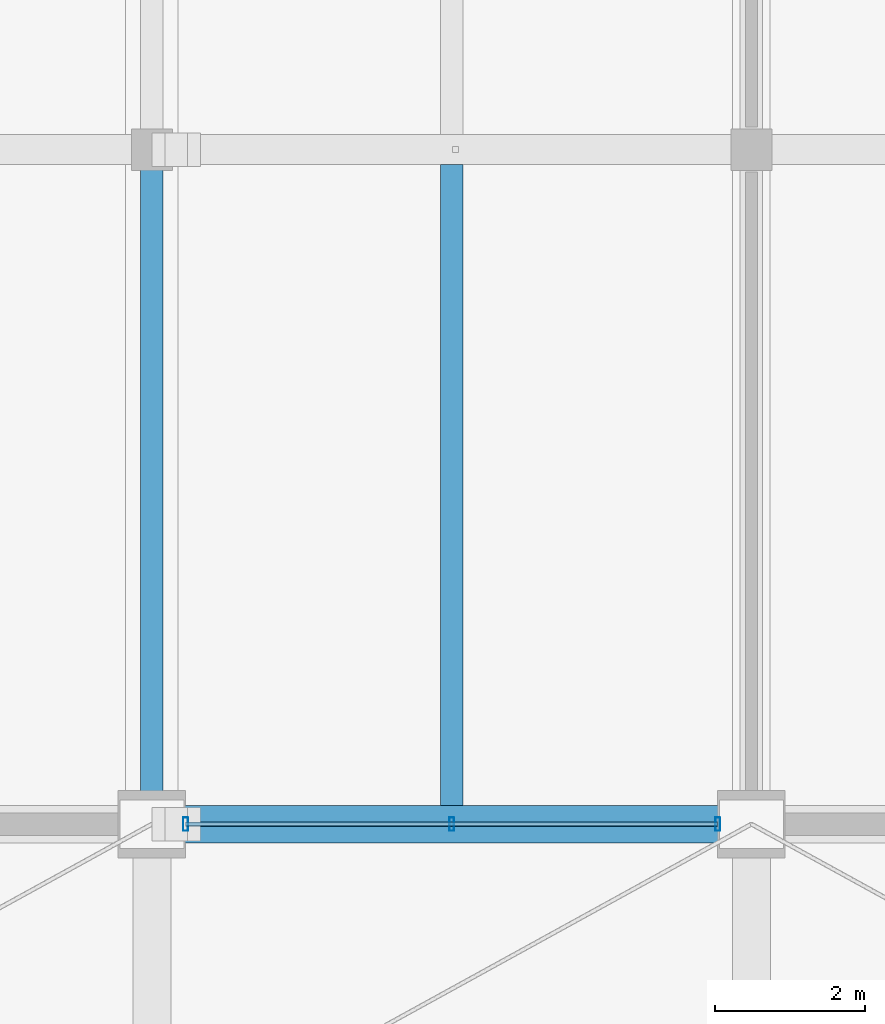
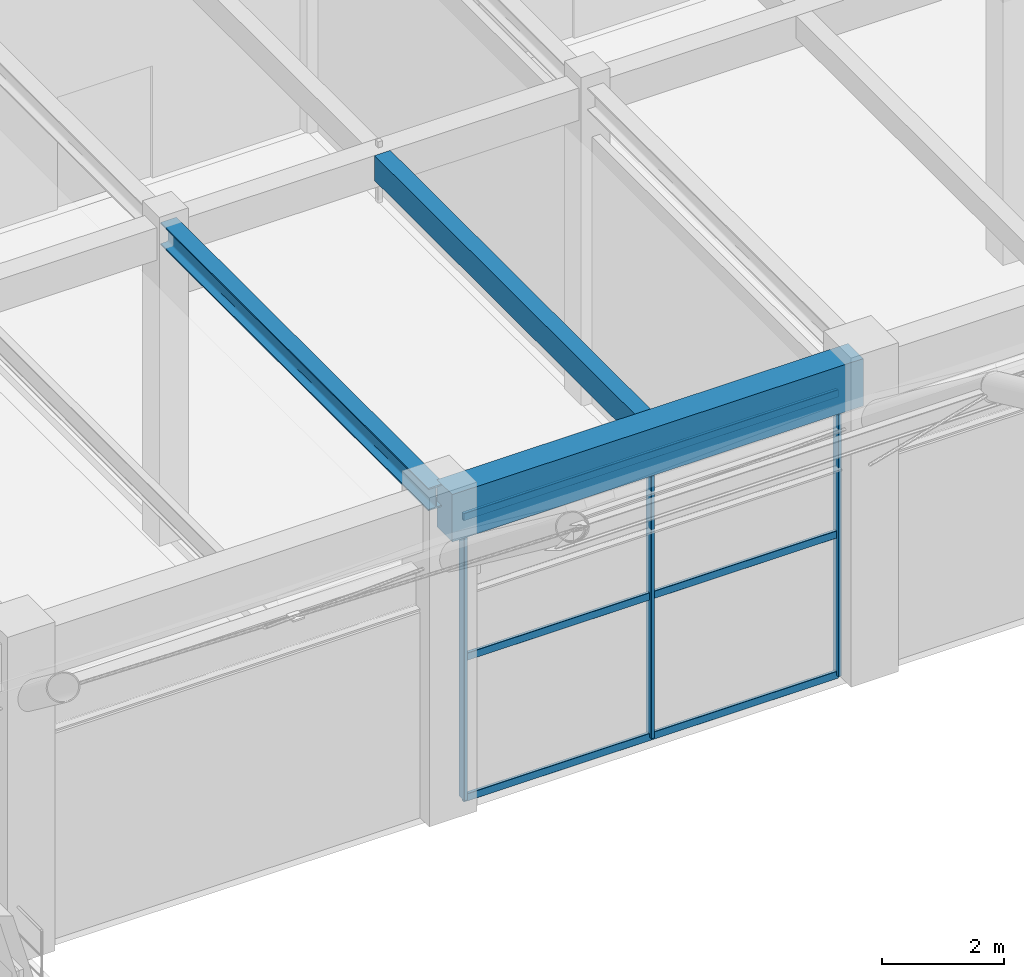
# One storey, part 88 of 163: 6 members, 3 beams, 1 element without a shape of its own.
"""IFC4 building model written with IfcOpenShell, lengths in metres."""

from ifc_helpers import new_model, si_unit, direction, frame, origin, origin_2d, place, context, subcontext, project, spatial, rectangle, hollow_rectangle, i_section, extrude, material, material_profile, profile_set, type_object, element, aggregate, save


model = new_model("IFC4")

# Units and contexts
model_context = context("Model", 3, precision=1e-05, world=origin(), true_north=direction((0.0, 1.0)))
body_context = subcontext(model_context, "Body", "Model", "MODEL_VIEW")
ifc_project = project(units=[si_unit("LENGTHUNIT", "METRE"), si_unit("AREAUNIT", "SQUARE_METRE"), si_unit("VOLUMEUNIT", "CUBIC_METRE"), si_unit("PLANEANGLEUNIT", "RADIAN"), si_unit("MASSUNIT", "GRAM", prefix="KILO")], contexts=[model_context])

# Site, building, storey
site_placement = place(None, origin())
site = spatial("IfcSite", under=ifc_project, at=site_placement, CompositionType="ELEMENT")
building_placement = place(site_placement, origin())
building = spatial("IfcBuilding", under=site, at=building_placement, Name="Varnabhumi Central Station", CompositionType="ELEMENT")
storey_placement = place(building_placement, frame((0.0, 0.0, 9.60009765625)))
storey = spatial("IfcBuildingStorey", under=building, at=storey_placement, Name="L02", CompositionType="ELEMENT", Elevation=9.60009765625)

# Beams
ifc_material_1 = material(Name="Concrete M40", Category="concrete")
ifc_material_profile_1 = material_profile(ifc_material_1, rectangle(XDim=0.300048828125, YDim=0.5, at=origin_2d()), Name="Concrete M40", Category="concrete")
ifc_profile_set_1 = profile_set([ifc_material_profile_1], Name="Concrete M40")
beam_type_1 = type_object("IfcBeamType", Name="BM-RC-300x500", PredefinedType="JOIST", material=ifc_profile_set_1)
beam_1_placement = place(storey_placement, frame((124.0, 80.25, 6.099853515625), z_axis=(0.0, 1.0, 0.0), x_axis=(-1.0, 0.0, 0.0)))
element("IfcBeam", 1, at=beam_1_placement, inside=storey, type_object=beam_type_1, Name="Secondary Joist L02-16/17:K-L", PredefinedType="JOIST", context=body_context, shape_type="SweptSolid", body=[
    extrude(rectangle(XDim=0.300048828125, YDim=0.5, at=origin_2d()), origin(), (0.0, 0.0, 1.0), 8.550048828125),
])
ifc_material_profile_2 = material_profile(ifc_material_1, rectangle(XDim=0.5, YDim=0.949951171875, at=origin_2d()), Name="Concrete M40", Category="concrete")
ifc_profile_set_2 = profile_set([ifc_material_profile_2], Name="Concrete M40")
beam_type_2 = type_object("IfcBeamType", Name="BM-RC-950x500", PredefinedType="BEAM", material=ifc_profile_set_2)
beam_2_placement = place(storey_placement, frame((120.10009765625, 80.0, 5.875), z_axis=(1.0, 0.0, 0.0), x_axis=(0.0, 1.0, 0.0)))
element("IfcBeam", 2, at=beam_2_placement, inside=storey, type_object=beam_type_2, Name="Beam L02-K:16-17", PredefinedType="BEAM", context=body_context, shape_type="SweptSolid", body=[
    extrude(rectangle(XDim=0.5, YDim=0.949951171875, at=origin_2d()), origin(), (0.0, 0.0, 1.0), 7.7998046875),
])
ifc_material_2 = material(Name="Structural steel E350", Category="steel")
ifc_material_profile_3 = material_profile(ifc_material_2, i_section(OverallWidth=0.300048828125, OverallDepth=0.449951171875, WebThickness=0.013916015625, FlangeThickness=0.02587890625, FilletRadius=0.027099609375, at=origin_2d()), Name="Structural steel E350", Category="steel")
ifc_profile_set_3 = profile_set([ifc_material_profile_3], Name="Structural steel E350")
beam_type_3 = type_object("IfcBeamType", Name="BM-STL-WPB450", PredefinedType="BEAM", material=ifc_profile_set_3)
beam_3_placement = place(storey_placement, frame((120.0, 80.10009765625, 6.125), z_axis=(0.0, 1.0, 0.0), x_axis=(-1.0, 0.0, 0.0)))
element("IfcBeam", 3, at=beam_3_placement, inside=storey, type_object=beam_type_3, Name="Beam L02-16:K-L", PredefinedType="BEAM", context=body_context, shape_type="SweptSolid", body=[
    extrude(i_section(OverallWidth=0.300048828125, OverallDepth=0.449951171875, WebThickness=0.013916015625, FlangeThickness=0.02587890625, FilletRadius=0.027099609375, at=origin_2d()), origin(), (0.0, 0.0, 1.0), 8.7998046875),
])

# Curtain wall, members
ifc_material_3 = material(Name="Anodised aluminium 6063-T6", Category="aluminium")
curtain_wall_type = type_object("IfcCurtainWallType", Name="CW-SPINE-SCREEN-L2", PredefinedType="NOTDEFINED", material=ifc_material_3)
curtain_wall_placement = place(storey_placement, origin())
curtain_wall = element("IfcCurtainWall", 4, at=curtain_wall_placement, inside=storey, type_object=curtain_wall_type, Name="Curtain Wall CW-NS212", PredefinedType="NOTDEFINED")
ifc_material_profile_4 = material_profile(ifc_material_3, hollow_rectangle(XDim=0.06494140625, YDim=0.179931640625, WallThickness=0.00390625, InnerFilletRadius=0.001953125, OuterFilletRadius=0.006103515625, at=origin_2d()), Name="Anodised aluminium 6063-T6", Category="aluminium")
ifc_profile_set_4 = profile_set([ifc_material_profile_4], Name="Anodised aluminium 6063-T6")
member_type_1 = type_object("IfcMemberType", Name="CW-MUL-180", PredefinedType="MULLION", material=ifc_profile_set_4)
member_1_placement = place(storey_placement, frame((120.449951171875, 80.0, 0.0), z_axis=(0.0, 0.0, 1.0), x_axis=(1.0, 0.0, 0.0)))
member_1 = element("IfcMember", 5, at=member_1_placement, type_object=member_type_1, Name="Curtain Wall Mullion CW-NS212-M1", PredefinedType="MULLION", context=body_context, shape_type="SweptSolid", body=[
    extrude(hollow_rectangle(XDim=0.06494140625, YDim=0.179931640625, WallThickness=0.00390625, InnerFilletRadius=0.001953125, OuterFilletRadius=0.006103515625, at=origin_2d()), origin(), (0.0, 0.0, 1.0), 5.639892578125),
])
member_2_placement = place(storey_placement, frame((124.0, 80.0, 0.0), z_axis=(0.0, 0.0, 1.0), x_axis=(1.0, 0.0, 0.0)))
member_2 = element("IfcMember", 6, at=member_2_placement, type_object=member_type_1, Name="Curtain Wall Mullion CW-NS212-M2", PredefinedType="MULLION", context=body_context, shape_type="SweptSolid", body=[
    extrude(hollow_rectangle(XDim=0.06494140625, YDim=0.179931640625, WallThickness=0.00390625, InnerFilletRadius=0.001953125, OuterFilletRadius=0.006103515625, at=origin_2d()), origin(), (0.0, 0.0, 1.0), 5.639892578125),
])
member_3_placement = place(storey_placement, frame((127.550048828125, 80.0, 0.0), z_axis=(0.0, 0.0, 1.0), x_axis=(1.0, 0.0, 0.0)))
member_3 = element("IfcMember", 7, at=member_3_placement, type_object=member_type_1, Name="Curtain Wall Mullion CW-NS212-M3", PredefinedType="MULLION", context=body_context, shape_type="SweptSolid", body=[
    extrude(hollow_rectangle(XDim=0.06494140625, YDim=0.179931640625, WallThickness=0.00390625, InnerFilletRadius=0.001953125, OuterFilletRadius=0.006103515625, at=origin_2d()), origin(), (0.0, 0.0, 1.0), 5.639892578125),
])
ifc_material_profile_5 = material_profile(ifc_material_3, hollow_rectangle(XDim=0.06005859375, YDim=0.14990234375, WallThickness=0.00390625, InnerFilletRadius=0.001953125, OuterFilletRadius=0.006103515625, at=origin_2d()), Name="Anodised aluminium 6063-T6", Category="aluminium")
ifc_profile_set_5 = profile_set([ifc_material_profile_5], Name="Anodised aluminium 6063-T6")
member_type_2 = type_object("IfcMemberType", Name="CW-TR-150", PredefinedType="USERDEFINED", material=ifc_profile_set_5)
member_4_placement = place(storey_placement, frame((120.449951171875, 80.0, 0.0), z_axis=(1.0, 0.0, 0.0), x_axis=(0.0, 1.0, 0.0)))
member_4 = element("IfcMember", 8, at=member_4_placement, type_object=member_type_2, Name="Curtain Wall Transom CW-NS212-T1", ObjectType="TRANSOM", PredefinedType="USERDEFINED", context=body_context, shape_type="SweptSolid", body=[
    extrude(hollow_rectangle(XDim=0.06005859375, YDim=0.14990234375, WallThickness=0.00390625, InnerFilletRadius=0.001953125, OuterFilletRadius=0.006103515625, at=origin_2d()), origin(), (0.0, 0.0, 1.0), 7.10009765625),
])
member_5_placement = place(storey_placement, frame((120.449951171875, 80.0, 2.81982421875), z_axis=(1.0, 0.0, 0.0), x_axis=(0.0, 1.0, 0.0)))
member_5 = element("IfcMember", 9, at=member_5_placement, type_object=member_type_2, Name="Curtain Wall Transom CW-NS212-T2", ObjectType="TRANSOM", PredefinedType="USERDEFINED", context=body_context, shape_type="SweptSolid", body=[
    extrude(hollow_rectangle(XDim=0.06005859375, YDim=0.14990234375, WallThickness=0.00390625, InnerFilletRadius=0.001953125, OuterFilletRadius=0.006103515625, at=origin_2d()), origin(), (0.0, 0.0, 1.0), 7.10009765625),
])
member_6_placement = place(storey_placement, frame((120.449951171875, 80.0, 5.639892578125), z_axis=(1.0, 0.0, 0.0), x_axis=(0.0, 1.0, 0.0)))
member_6 = element("IfcMember", 10, at=member_6_placement, type_object=member_type_2, Name="Curtain Wall Transom CW-NS212-T3", ObjectType="TRANSOM", PredefinedType="USERDEFINED", context=body_context, shape_type="SweptSolid", body=[
    extrude(hollow_rectangle(XDim=0.06005859375, YDim=0.14990234375, WallThickness=0.00390625, InnerFilletRadius=0.001953125, OuterFilletRadius=0.006103515625, at=origin_2d()), origin(), (0.0, 0.0, 1.0), 7.10009765625),
])
aggregate(curtain_wall, [member_1, member_2, member_3, member_4, member_5, member_6])

save(model, "model.ifc")
